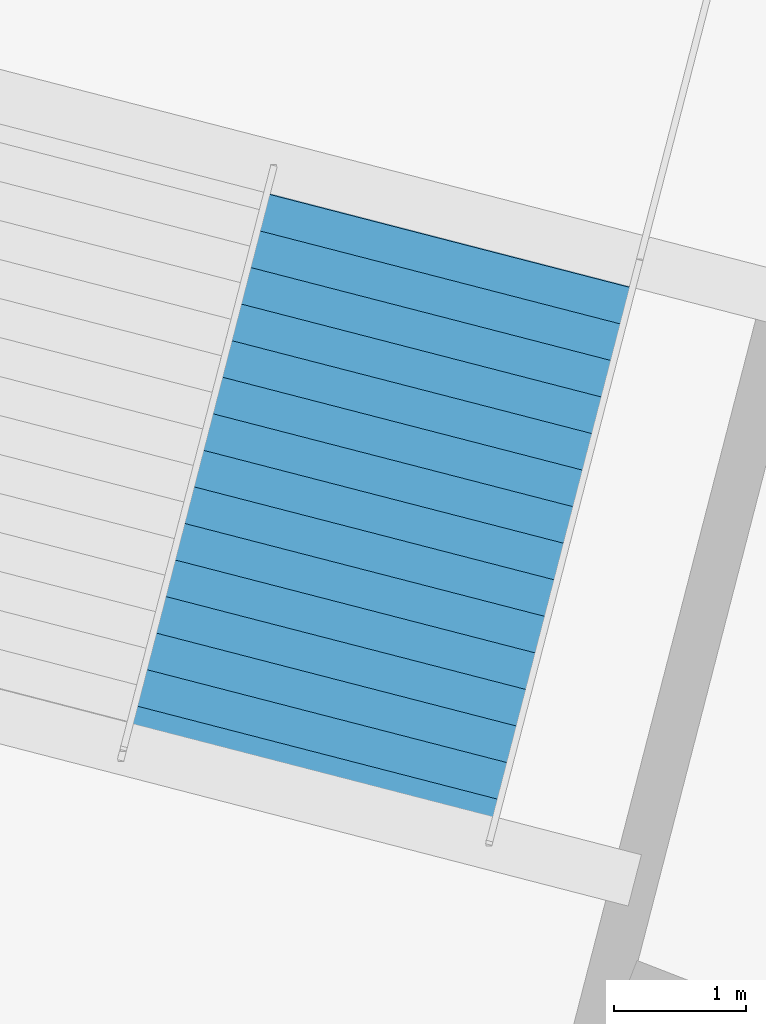
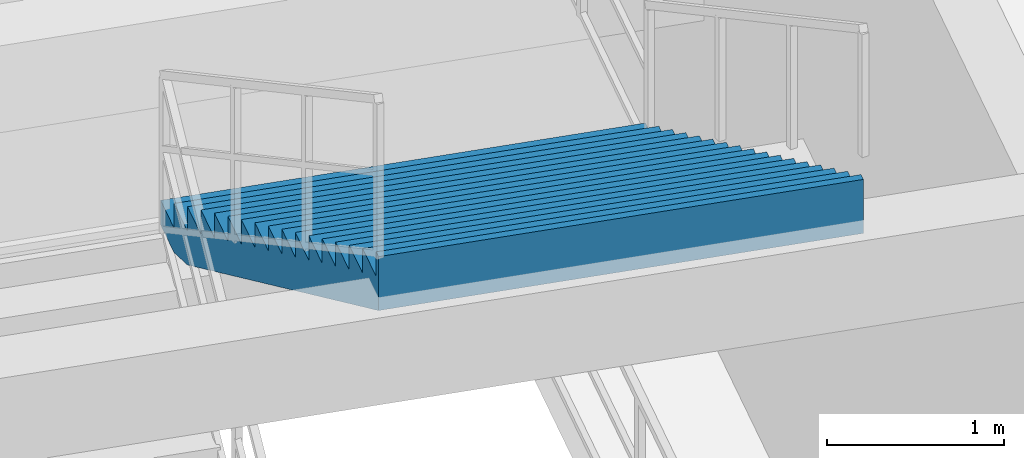
# One storey, part 30 of 48: 1 stair flight, 1 element without a shape of its own.
"""IFC4 building model written with IfcOpenShell, lengths in metres."""

from ifc_helpers import new_model, si_unit, direction, frame, origin, place, context, subcontext, project, spatial, polygons, material, type_object, element, aggregate, save


model = new_model("IFC4")

# Units and contexts
model_context = context("Model", 3, precision=1e-05, world=origin(), true_north=direction((0.0, 1.0)))
body_context = subcontext(model_context, "Body", "Model", "MODEL_VIEW")
ifc_project = project(units=[si_unit("LENGTHUNIT", "METRE"), si_unit("AREAUNIT", "SQUARE_METRE"), si_unit("VOLUMEUNIT", "CUBIC_METRE"), si_unit("PLANEANGLEUNIT", "RADIAN"), si_unit("MASSUNIT", "GRAM", prefix="KILO")], contexts=[model_context])

# Site, building, storey
site_placement = place(None, origin())
site = spatial("IfcSite", under=ifc_project, at=site_placement, CompositionType="ELEMENT")
building_placement = place(site_placement, origin())
building = spatial("IfcBuilding", under=site, at=building_placement, Name="Kazemori Nagisa Stadium", CompositionType="ELEMENT")
storey_placement = place(building_placement, origin())
storey = spatial("IfcBuildingStorey", under=building, at=storey_placement, Name="L00", CompositionType="ELEMENT", Elevation=0.0)

# Stair, stair flight
ifc_material = material(Name="Concrete C36/45 (Fc36)", Category="concrete")
stair_type = type_object("IfcStairType", Name="Stair_CORE_34", PredefinedType="TWO_STRAIGHT_RUN_STAIR", material=ifc_material)
stair_placement = place(storey_placement, origin())
stair = element("IfcStair", 1, at=stair_placement, inside=storey, type_object=stair_type, Name="Exit stair ST10 L00", PredefinedType="TWO_STRAIGHT_RUN_STAIR")
stair_flight_type = type_object("IfcStairFlightType", Name="Flight_CORE_17", PredefinedType="STRAIGHT", material=ifc_material)
stair_flight_placement = place(storey_placement, frame((209.000244140625, 73.8115234375, 2.889892578125), z_axis=(0.0, 0.0, 1.0), x_axis=(-0.24992335774, -0.968265622263, 0.0)))
stair_flight = element("IfcStairFlight", 2, at=stair_flight_placement, type_object=stair_flight_type, Name="Exit stair ST10 L00 flight 2", NumberOfRisers=17, NumberOfTreads=16, PredefinedType="STRAIGHT", RiserHeight=0.17, TreadLength=0.285, context=body_context, shape_type="Tessellation", body=[
    polygons([(0.0, -1.425048828125, 0.0), (0.0, -1.425048828125, 0.169921875), (0.284912109375, -1.425048828125, 0.169921875), (0.284912109375, -1.425048828125, 0.340087890625), (0.570068359375, -1.425048828125, 0.340087890625), (0.570068359375, -1.425048828125, 0.510009765625), (0.85498046875, -1.425048828125, 0.510009765625), (0.85498046875, -1.425048828125, 0.679931640625), (1.139892578125, -1.425048828125, 0.679931640625), (1.139892578125, -1.425048828125, 0.85009765625), (1.425048828125, -1.425048828125, 0.85009765625), (1.425048828125, -1.425048828125, 1.02001953125), (1.7099609375, -1.425048828125, 1.02001953125), (1.7099609375, -1.425048828125, 1.18994140625), (1.9951171875, -1.425048828125, 1.18994140625), (1.9951171875, -1.425048828125, 1.360107421875), (2.280029296875, -1.425048828125, 1.360107421875), (2.280029296875, -1.425048828125, 1.530029296875), (2.56494140625, -1.425048828125, 1.530029296875), (2.56494140625, -1.425048828125, 1.699951171875), (2.85009765625, -1.425048828125, 1.699951171875), (2.85009765625, -1.425048828125, 1.8701171875), (3.135009765625, -1.425048828125, 1.8701171875), (3.135009765625, -1.425048828125, 2.0400390625), (3.419921875, -1.425048828125, 2.0400390625), (3.419921875, -1.425048828125, 2.2099609375), (3.705078125, -1.425048828125, 2.2099609375), (3.705078125, -1.425048828125, 2.3798828125), (3.989990234375, -1.425048828125, 2.3798828125), (3.989990234375, -1.425048828125, 2.550048828125), (4.27490234375, -1.425048828125, 2.550048828125), (4.27490234375, -1.425048828125, 2.719970703125), (4.56005859375, -1.425048828125, 2.719970703125), (4.56005859375, -1.425048828125, 2.889892578125), (4.610107421875, -1.425048828125, 2.889892578125), (4.610107421875, -1.425048828125, 2.51708984375), (4.56005859375, -1.425048828125, 2.487060546875), (4.27490234375, -1.425048828125, 2.317138671875), (3.989990234375, -1.425048828125, 2.147216796875), (3.705078125, -1.425048828125, 1.977294921875), (3.419921875, -1.425048828125, 1.80712890625), (3.135009765625, -1.425048828125, 1.63720703125), (2.85009765625, -1.425048828125, 1.46728515625), (2.56494140625, -1.425048828125, 1.297119140625), (2.280029296875, -1.425048828125, 1.127197265625), (1.9951171875, -1.425048828125, 0.957275390625), (1.7099609375, -1.425048828125, 0.787109375), (1.425048828125, -1.425048828125, 0.6171875), (1.139892578125, -1.425048828125, 0.447265625), (0.85498046875, -1.425048828125, 0.277099609375), (0.570068359375, -1.425048828125, 0.107177734375), (0.284912109375, -1.425048828125, 0.0), (0.0, -0.08544921875, 0.0), (0.0, -0.08544921875, 0.169921875), (0.284912109375, -0.08544921875, 0.169921875), (0.284912109375, -0.08544921875, 0.340087890625), (0.570068359375, -0.08544921875, 0.340087890625), (0.570068359375, -0.08544921875, 0.510009765625), (0.85498046875, -0.08544921875, 0.510009765625), (0.85498046875, -0.08544921875, 0.679931640625), (1.139892578125, -0.08544921875, 0.679931640625), (1.139892578125, -0.08544921875, 0.85009765625), (1.425048828125, -0.08544921875, 0.85009765625), (1.425048828125, -0.08544921875, 1.02001953125), (1.7099609375, -0.08544921875, 1.02001953125), (1.7099609375, -0.08544921875, 1.18994140625), (1.9951171875, -0.08544921875, 1.18994140625), (1.9951171875, -0.08544921875, 1.360107421875), (2.280029296875, -0.08544921875, 1.360107421875), (2.280029296875, -0.08544921875, 1.530029296875), (2.56494140625, -0.08544921875, 1.530029296875), (2.56494140625, -0.08544921875, 1.699951171875), (2.85009765625, -0.08544921875, 1.699951171875), (2.85009765625, -0.08544921875, 1.8701171875), (3.135009765625, -0.08544921875, 1.8701171875), (3.135009765625, -0.08544921875, 2.0400390625), (3.419921875, -0.08544921875, 2.0400390625), (3.419921875, -0.08544921875, 2.2099609375), (3.705078125, -0.08544921875, 2.2099609375), (3.705078125, -0.08544921875, 2.3798828125), (3.989990234375, -0.08544921875, 2.3798828125), (3.989990234375, -0.08544921875, 2.550048828125), (4.27490234375, -0.08544921875, 2.550048828125), (4.27490234375, -0.08544921875, 2.719970703125), (4.56005859375, -0.08544921875, 2.719970703125), (4.56005859375, -0.08544921875, 2.889892578125), (4.610107421875, -0.08544921875, 2.889892578125), (4.610107421875, -0.08544921875, 2.51708984375), (4.56005859375, -0.08544921875, 2.487060546875), (4.27490234375, -0.08544921875, 2.317138671875), (3.989990234375, -0.08544921875, 2.147216796875), (3.705078125, -0.08544921875, 1.977294921875), (3.419921875, -0.08544921875, 1.80712890625), (3.135009765625, -0.08544921875, 1.63720703125), (2.85009765625, -0.08544921875, 1.46728515625), (2.56494140625, -0.08544921875, 1.297119140625), (2.280029296875, -0.08544921875, 1.127197265625), (1.9951171875, -0.08544921875, 0.957275390625), (1.7099609375, -0.08544921875, 0.787109375), (1.425048828125, -0.08544921875, 0.6171875), (1.139892578125, -0.08544921875, 0.447265625), (0.85498046875, -0.08544921875, 0.277099609375), (0.570068359375, -0.08544921875, 0.107177734375), (0.284912109375, -0.08544921875, 0.0), (0.0, 0.0, 0.0), (0.0, 0.0, 0.169921875), (0.284912109375, 0.0, 0.169921875), (0.284912109375, 0.0, 0.340087890625), (0.570068359375, 0.0, 0.340087890625), (0.570068359375, 0.0, 0.510009765625), (0.85498046875, 0.0, 0.510009765625), (0.85498046875, 0.0, 0.679931640625), (1.139892578125, 0.0, 0.679931640625), (1.139892578125, 0.0, 0.85009765625), (1.425048828125, 0.0, 0.85009765625), (1.425048828125, 0.0, 1.02001953125), (1.7099609375, 0.0, 1.02001953125), (1.7099609375, 0.0, 1.18994140625), (1.9951171875, 0.0, 1.18994140625), (1.9951171875, 0.0, 1.360107421875), (2.280029296875, 0.0, 1.360107421875), (2.280029296875, 0.0, 1.530029296875), (2.56494140625, 0.0, 1.530029296875), (2.56494140625, 0.0, 1.699951171875), (2.85009765625, 0.0, 1.699951171875), (2.85009765625, 0.0, 1.8701171875), (3.135009765625, 0.0, 1.8701171875), (3.135009765625, 0.0, 2.0400390625), (3.419921875, 0.0, 2.0400390625), (3.419921875, 0.0, 2.2099609375), (3.705078125, 0.0, 2.2099609375), (3.705078125, 0.0, 2.3798828125), (3.989990234375, 0.0, 2.3798828125), (3.989990234375, 0.0, 2.550048828125), (4.27490234375, 0.0, 2.550048828125), (4.27490234375, 0.0, 2.719970703125), (4.56005859375, 0.0, 2.719970703125), (4.56005859375, 0.0, 2.889892578125), (4.610107421875, 0.0, 2.889892578125), (4.610107421875, 0.0, 2.51708984375), (4.56005859375, 0.0, 2.487060546875), (4.27490234375, 0.0, 2.317138671875), (3.989990234375, 0.0, 2.147216796875), (3.705078125, 0.0, 1.977294921875), (3.419921875, 0.0, 1.80712890625), (3.135009765625, 0.0, 1.63720703125), (2.85009765625, 0.0, 1.46728515625), (2.56494140625, 0.0, 1.297119140625), (2.280029296875, 0.0, 1.127197265625), (1.9951171875, 0.0, 0.957275390625), (1.7099609375, 0.0, 0.787109375), (1.425048828125, 0.0, 0.6171875), (1.139892578125, 0.0, 0.447265625), (0.85498046875, 0.0, 0.277099609375), (0.570068359375, 0.0, 0.107177734375), (0.284912109375, 0.0, 0.0), (0.0, 0.08544921875, 0.0), (0.0, 0.08544921875, 0.169921875), (0.284912109375, 0.08544921875, 0.169921875), (0.284912109375, 0.08544921875, 0.340087890625), (0.570068359375, 0.08544921875, 0.340087890625), (0.570068359375, 0.08544921875, 0.510009765625), (0.85498046875, 0.08544921875, 0.510009765625), (0.85498046875, 0.08544921875, 0.679931640625), (1.139892578125, 0.08544921875, 0.679931640625), (1.139892578125, 0.08544921875, 0.85009765625), (1.425048828125, 0.08544921875, 0.85009765625), (1.425048828125, 0.08544921875, 1.02001953125), (1.7099609375, 0.08544921875, 1.02001953125), (1.7099609375, 0.08544921875, 1.18994140625), (1.9951171875, 0.08544921875, 1.18994140625), (1.9951171875, 0.08544921875, 1.360107421875), (2.280029296875, 0.08544921875, 1.360107421875), (2.280029296875, 0.08544921875, 1.530029296875), (2.56494140625, 0.08544921875, 1.530029296875), (2.56494140625, 0.08544921875, 1.699951171875), (2.85009765625, 0.08544921875, 1.699951171875), (2.85009765625, 0.08544921875, 1.8701171875), (3.135009765625, 0.08544921875, 1.8701171875), (3.135009765625, 0.08544921875, 2.0400390625), (3.419921875, 0.08544921875, 2.0400390625), (3.419921875, 0.08544921875, 2.2099609375), (3.705078125, 0.08544921875, 2.2099609375), (3.705078125, 0.08544921875, 2.3798828125), (3.989990234375, 0.08544921875, 2.3798828125), (3.989990234375, 0.08544921875, 2.550048828125), (4.27490234375, 0.08544921875, 2.550048828125), (4.27490234375, 0.08544921875, 2.719970703125), (4.56005859375, 0.08544921875, 2.719970703125), (4.56005859375, 0.08544921875, 2.889892578125), (4.610107421875, 0.08544921875, 2.889892578125), (4.610107421875, 0.08544921875, 2.51708984375), (4.56005859375, 0.08544921875, 2.487060546875), (4.27490234375, 0.08544921875, 2.317138671875), (3.989990234375, 0.08544921875, 2.147216796875), (3.705078125, 0.08544921875, 1.977294921875), (3.419921875, 0.08544921875, 1.80712890625), (3.135009765625, 0.08544921875, 1.63720703125), (2.85009765625, 0.08544921875, 1.46728515625), (2.56494140625, 0.08544921875, 1.297119140625), (2.280029296875, 0.08544921875, 1.127197265625), (1.9951171875, 0.08544921875, 0.957275390625), (1.7099609375, 0.08544921875, 0.787109375), (1.425048828125, 0.08544921875, 0.6171875), (1.139892578125, 0.08544921875, 0.447265625), (0.85498046875, 0.08544921875, 0.277099609375), (0.570068359375, 0.08544921875, 0.107177734375), (0.284912109375, 0.08544921875, 0.0), (0.0, 1.425048828125, 0.0), (0.0, 1.425048828125, 0.169921875), (0.284912109375, 1.425048828125, 0.169921875), (0.284912109375, 1.425048828125, 0.340087890625), (0.570068359375, 1.425048828125, 0.340087890625), (0.570068359375, 1.425048828125, 0.510009765625), (0.85498046875, 1.425048828125, 0.510009765625), (0.85498046875, 1.425048828125, 0.679931640625), (1.139892578125, 1.425048828125, 0.679931640625), (1.139892578125, 1.425048828125, 0.85009765625), (1.425048828125, 1.425048828125, 0.85009765625), (1.425048828125, 1.425048828125, 1.02001953125), (1.7099609375, 1.425048828125, 1.02001953125), (1.7099609375, 1.425048828125, 1.18994140625), (1.9951171875, 1.425048828125, 1.18994140625), (1.9951171875, 1.425048828125, 1.360107421875), (2.280029296875, 1.425048828125, 1.360107421875), (2.280029296875, 1.425048828125, 1.530029296875), (2.56494140625, 1.425048828125, 1.530029296875), (2.56494140625, 1.425048828125, 1.699951171875), (2.85009765625, 1.425048828125, 1.699951171875), (2.85009765625, 1.425048828125, 1.8701171875), (3.135009765625, 1.425048828125, 1.8701171875), (3.135009765625, 1.425048828125, 2.0400390625), (3.419921875, 1.425048828125, 2.0400390625), (3.419921875, 1.425048828125, 2.2099609375), (3.705078125, 1.425048828125, 2.2099609375), (3.705078125, 1.425048828125, 2.3798828125), (3.989990234375, 1.425048828125, 2.3798828125), (3.989990234375, 1.425048828125, 2.550048828125), (4.27490234375, 1.425048828125, 2.550048828125), (4.27490234375, 1.425048828125, 2.719970703125), (4.56005859375, 1.425048828125, 2.719970703125), (4.56005859375, 1.425048828125, 2.889892578125), (4.610107421875, 1.425048828125, 2.889892578125), (4.610107421875, 1.425048828125, 2.51708984375), (4.56005859375, 1.425048828125, 2.487060546875), (4.27490234375, 1.425048828125, 2.317138671875), (3.989990234375, 1.425048828125, 2.147216796875), (3.705078125, 1.425048828125, 1.977294921875), (3.419921875, 1.425048828125, 1.80712890625), (3.135009765625, 1.425048828125, 1.63720703125), (2.85009765625, 1.425048828125, 1.46728515625), (2.56494140625, 1.425048828125, 1.297119140625), (2.280029296875, 1.425048828125, 1.127197265625), (1.9951171875, 1.425048828125, 0.957275390625), (1.7099609375, 1.425048828125, 0.787109375), (1.425048828125, 1.425048828125, 0.6171875), (1.139892578125, 1.425048828125, 0.447265625), (0.85498046875, 1.425048828125, 0.277099609375), (0.570068359375, 1.425048828125, 0.107177734375), (0.284912109375, 1.425048828125, 0.0)], [[[1, 2, 54]], [[1, 54, 53]], [[2, 3, 55]], [[2, 55, 54]], [[3, 4, 56]], [[3, 56, 55]], [[4, 5, 57]], [[4, 57, 56]], [[5, 6, 58]], [[5, 58, 57]], [[6, 7, 59]], [[6, 59, 58]], [[7, 8, 60]], [[7, 60, 59]], [[8, 9, 61]], [[8, 61, 60]], [[9, 10, 62]], [[9, 62, 61]], [[10, 11, 63]], [[10, 63, 62]], [[11, 12, 64]], [[11, 64, 63]], [[12, 13, 65]], [[12, 65, 64]], [[13, 14, 66]], [[13, 66, 65]], [[14, 15, 67]], [[14, 67, 66]], [[15, 16, 68]], [[15, 68, 67]], [[16, 17, 69]], [[16, 69, 68]], [[17, 18, 70]], [[17, 70, 69]], [[18, 19, 71]], [[18, 71, 70]], [[19, 20, 72]], [[19, 72, 71]], [[20, 21, 73]], [[20, 73, 72]], [[21, 22, 74]], [[21, 74, 73]], [[22, 23, 75]], [[22, 75, 74]], [[23, 24, 76]], [[23, 76, 75]], [[24, 25, 77]], [[24, 77, 76]], [[25, 26, 78]], [[25, 78, 77]], [[26, 27, 79]], [[26, 79, 78]], [[27, 28, 80]], [[27, 80, 79]], [[28, 29, 81]], [[28, 81, 80]], [[29, 30, 82]], [[29, 82, 81]], [[30, 31, 83]], [[30, 83, 82]], [[31, 32, 84]], [[31, 84, 83]], [[32, 33, 85]], [[32, 85, 84]], [[33, 34, 86]], [[33, 86, 85]], [[34, 35, 87]], [[34, 87, 86]], [[35, 36, 88]], [[35, 88, 87]], [[36, 37, 89]], [[36, 89, 88]], [[37, 38, 90]], [[37, 90, 89]], [[38, 39, 91]], [[38, 91, 90]], [[39, 40, 92]], [[39, 92, 91]], [[40, 41, 93]], [[40, 93, 92]], [[41, 42, 94]], [[41, 94, 93]], [[42, 43, 95]], [[42, 95, 94]], [[43, 44, 96]], [[43, 96, 95]], [[44, 45, 97]], [[44, 97, 96]], [[45, 46, 98]], [[45, 98, 97]], [[46, 47, 99]], [[46, 99, 98]], [[47, 48, 100]], [[47, 100, 99]], [[48, 49, 101]], [[48, 101, 100]], [[49, 50, 102]], [[49, 102, 101]], [[50, 51, 103]], [[50, 103, 102]], [[51, 52, 104]], [[51, 104, 103]], [[52, 1, 53]], [[52, 53, 104]], [[53, 54, 106]], [[53, 106, 105]], [[54, 55, 107]], [[54, 107, 106]], [[55, 56, 108]], [[55, 108, 107]], [[56, 57, 109]], [[56, 109, 108]], [[57, 58, 110]], [[57, 110, 109]], [[58, 59, 111]], [[58, 111, 110]], [[59, 60, 112]], [[59, 112, 111]], [[60, 61, 113]], [[60, 113, 112]], [[61, 62, 114]], [[61, 114, 113]], [[62, 63, 115]], [[62, 115, 114]], [[63, 64, 116]], [[63, 116, 115]], [[64, 65, 117]], [[64, 117, 116]], [[65, 66, 118]], [[65, 118, 117]], [[66, 67, 119]], [[66, 119, 118]], [[67, 68, 120]], [[67, 120, 119]], [[68, 69, 121]], [[68, 121, 120]], [[69, 70, 122]], [[69, 122, 121]], [[70, 71, 123]], [[70, 123, 122]], [[71, 72, 124]], [[71, 124, 123]], [[72, 73, 125]], [[72, 125, 124]], [[73, 74, 126]], [[73, 126, 125]], [[74, 75, 127]], [[74, 127, 126]], [[75, 76, 128]], [[75, 128, 127]], [[76, 77, 129]], [[76, 129, 128]], [[77, 78, 130]], [[77, 130, 129]], [[78, 79, 131]], [[78, 131, 130]], [[79, 80, 132]], [[79, 132, 131]], [[80, 81, 133]], [[80, 133, 132]], [[81, 82, 134]], [[81, 134, 133]], [[82, 83, 135]], [[82, 135, 134]], [[83, 84, 136]], [[83, 136, 135]], [[84, 85, 137]], [[84, 137, 136]], [[85, 86, 138]], [[85, 138, 137]], [[86, 87, 139]], [[86, 139, 138]], [[87, 88, 140]], [[87, 140, 139]], [[88, 89, 141]], [[88, 141, 140]], [[89, 90, 142]], [[89, 142, 141]], [[90, 91, 143]], [[90, 143, 142]], [[91, 92, 144]], [[91, 144, 143]], [[92, 93, 145]], [[92, 145, 144]], [[93, 94, 146]], [[93, 146, 145]], [[94, 95, 147]], [[94, 147, 146]], [[95, 96, 148]], [[95, 148, 147]], [[96, 97, 149]], [[96, 149, 148]], [[97, 98, 150]], [[97, 150, 149]], [[98, 99, 151]], [[98, 151, 150]], [[99, 100, 152]], [[99, 152, 151]], [[100, 101, 153]], [[100, 153, 152]], [[101, 102, 154]], [[101, 154, 153]], [[102, 103, 155]], [[102, 155, 154]], [[103, 104, 156]], [[103, 156, 155]], [[104, 53, 105]], [[104, 105, 156]], [[105, 106, 158]], [[105, 158, 157]], [[106, 107, 159]], [[106, 159, 158]], [[107, 108, 160]], [[107, 160, 159]], [[108, 109, 161]], [[108, 161, 160]], [[109, 110, 162]], [[109, 162, 161]], [[110, 111, 163]], [[110, 163, 162]], [[111, 112, 164]], [[111, 164, 163]], [[112, 113, 165]], [[112, 165, 164]], [[113, 114, 166]], [[113, 166, 165]], [[114, 115, 167]], [[114, 167, 166]], [[115, 116, 168]], [[115, 168, 167]], [[116, 117, 169]], [[116, 169, 168]], [[117, 118, 170]], [[117, 170, 169]], [[118, 119, 171]], [[118, 171, 170]], [[119, 120, 172]], [[119, 172, 171]], [[120, 121, 173]], [[120, 173, 172]], [[121, 122, 174]], [[121, 174, 173]], [[122, 123, 175]], [[122, 175, 174]], [[123, 124, 176]], [[123, 176, 175]], [[124, 125, 177]], [[124, 177, 176]], [[125, 126, 178]], [[125, 178, 177]], [[126, 127, 179]], [[126, 179, 178]], [[127, 128, 180]], [[127, 180, 179]], [[128, 129, 181]], [[128, 181, 180]], [[129, 130, 182]], [[129, 182, 181]], [[130, 131, 183]], [[130, 183, 182]], [[131, 132, 184]], [[131, 184, 183]], [[132, 133, 185]], [[132, 185, 184]], [[133, 134, 186]], [[133, 186, 185]], [[134, 135, 187]], [[134, 187, 186]], [[135, 136, 188]], [[135, 188, 187]], [[136, 137, 189]], [[136, 189, 188]], [[137, 138, 190]], [[137, 190, 189]], [[138, 139, 191]], [[138, 191, 190]], [[139, 140, 192]], [[139, 192, 191]], [[140, 141, 193]], [[140, 193, 192]], [[141, 142, 194]], [[141, 194, 193]], [[142, 143, 195]], [[142, 195, 194]], [[143, 144, 196]], [[143, 196, 195]], [[144, 145, 197]], [[144, 197, 196]], [[145, 146, 198]], [[145, 198, 197]], [[146, 147, 199]], [[146, 199, 198]], [[147, 148, 200]], [[147, 200, 199]], [[148, 149, 201]], [[148, 201, 200]], [[149, 150, 202]], [[149, 202, 201]], [[150, 151, 203]], [[150, 203, 202]], [[151, 152, 204]], [[151, 204, 203]], [[152, 153, 205]], [[152, 205, 204]], [[153, 154, 206]], [[153, 206, 205]], [[154, 155, 207]], [[154, 207, 206]], [[155, 156, 208]], [[155, 208, 207]], [[156, 105, 157]], [[156, 157, 208]], [[157, 158, 210]], [[157, 210, 209]], [[158, 159, 211]], [[158, 211, 210]], [[159, 160, 212]], [[159, 212, 211]], [[160, 161, 213]], [[160, 213, 212]], [[161, 162, 214]], [[161, 214, 213]], [[162, 163, 215]], [[162, 215, 214]], [[163, 164, 216]], [[163, 216, 215]], [[164, 165, 217]], [[164, 217, 216]], [[165, 166, 218]], [[165, 218, 217]], [[166, 167, 219]], [[166, 219, 218]], [[167, 168, 220]], [[167, 220, 219]], [[168, 169, 221]], [[168, 221, 220]], [[169, 170, 222]], [[169, 222, 221]], [[170, 171, 223]], [[170, 223, 222]], [[171, 172, 224]], [[171, 224, 223]], [[172, 173, 225]], [[172, 225, 224]], [[173, 174, 226]], [[173, 226, 225]], [[174, 175, 227]], [[174, 227, 226]], [[175, 176, 228]], [[175, 228, 227]], [[176, 177, 229]], [[176, 229, 228]], [[177, 178, 230]], [[177, 230, 229]], [[178, 179, 231]], [[178, 231, 230]], [[179, 180, 232]], [[179, 232, 231]], [[180, 181, 233]], [[180, 233, 232]], [[181, 182, 234]], [[181, 234, 233]], [[182, 183, 235]], [[182, 235, 234]], [[183, 184, 236]], [[183, 236, 235]], [[184, 185, 237]], [[184, 237, 236]], [[185, 186, 238]], [[185, 238, 237]], [[186, 187, 239]], [[186, 239, 238]], [[187, 188, 240]], [[187, 240, 239]], [[188, 189, 241]], [[188, 241, 240]], [[189, 190, 242]], [[189, 242, 241]], [[190, 191, 243]], [[190, 243, 242]], [[191, 192, 244]], [[191, 244, 243]], [[192, 193, 245]], [[192, 245, 244]], [[193, 194, 246]], [[193, 246, 245]], [[194, 195, 247]], [[194, 247, 246]], [[195, 196, 248]], [[195, 248, 247]], [[196, 197, 249]], [[196, 249, 248]], [[197, 198, 250]], [[197, 250, 249]], [[198, 199, 251]], [[198, 251, 250]], [[199, 200, 252]], [[199, 252, 251]], [[200, 201, 253]], [[200, 253, 252]], [[201, 202, 254]], [[201, 254, 253]], [[202, 203, 255]], [[202, 255, 254]], [[203, 204, 256]], [[203, 256, 255]], [[204, 205, 257]], [[204, 257, 256]], [[205, 206, 258]], [[205, 258, 257]], [[206, 207, 259]], [[206, 259, 258]], [[207, 208, 260]], [[207, 260, 259]], [[208, 157, 209]], [[208, 209, 260]], [[3, 2, 1]], [[209, 210, 211]], [[52, 3, 1]], [[209, 211, 260]], [[51, 3, 52]], [[260, 211, 259]], [[5, 3, 51]], [[259, 211, 213]], [[5, 4, 3]], [[211, 212, 213]], [[50, 5, 51]], [[259, 213, 258]], [[7, 5, 50]], [[258, 213, 215]], [[7, 6, 5]], [[213, 214, 215]], [[49, 7, 50]], [[258, 215, 257]], [[9, 7, 49]], [[257, 215, 217]], [[9, 8, 7]], [[215, 216, 217]], [[48, 9, 49]], [[257, 217, 256]], [[11, 9, 48]], [[256, 217, 219]], [[11, 10, 9]], [[217, 218, 219]], [[47, 11, 48]], [[256, 219, 255]], [[13, 11, 47]], [[255, 219, 221]], [[13, 12, 11]], [[219, 220, 221]], [[46, 13, 47]], [[255, 221, 254]], [[15, 13, 46]], [[254, 221, 223]], [[15, 14, 13]], [[221, 222, 223]], [[45, 15, 46]], [[254, 223, 253]], [[17, 15, 45]], [[253, 223, 225]], [[17, 16, 15]], [[223, 224, 225]], [[44, 17, 45]], [[253, 225, 252]], [[19, 17, 44]], [[252, 225, 227]], [[19, 18, 17]], [[225, 226, 227]], [[43, 19, 44]], [[252, 227, 251]], [[21, 19, 43]], [[251, 227, 229]], [[21, 20, 19]], [[227, 228, 229]], [[42, 21, 43]], [[251, 229, 250]], [[23, 21, 42]], [[250, 229, 231]], [[23, 22, 21]], [[229, 230, 231]], [[41, 23, 42]], [[250, 231, 249]], [[25, 23, 41]], [[249, 231, 233]], [[25, 24, 23]], [[231, 232, 233]], [[40, 25, 41]], [[249, 233, 248]], [[27, 25, 40]], [[248, 233, 235]], [[27, 26, 25]], [[233, 234, 235]], [[39, 27, 40]], [[248, 235, 247]], [[29, 27, 39]], [[247, 235, 237]], [[29, 28, 27]], [[235, 236, 237]], [[38, 29, 39]], [[247, 237, 246]], [[31, 29, 38]], [[246, 237, 239]], [[31, 30, 29]], [[237, 238, 239]], [[37, 31, 38]], [[246, 239, 245]], [[33, 31, 37]], [[245, 239, 241]], [[33, 32, 31]], [[239, 240, 241]], [[36, 33, 37]], [[245, 241, 244]], [[35, 33, 36]], [[244, 241, 243]], [[35, 34, 33]], [[241, 242, 243]]], closed=True),
])
aggregate(stair, [stair_flight])

save(model, "model.ifc")
